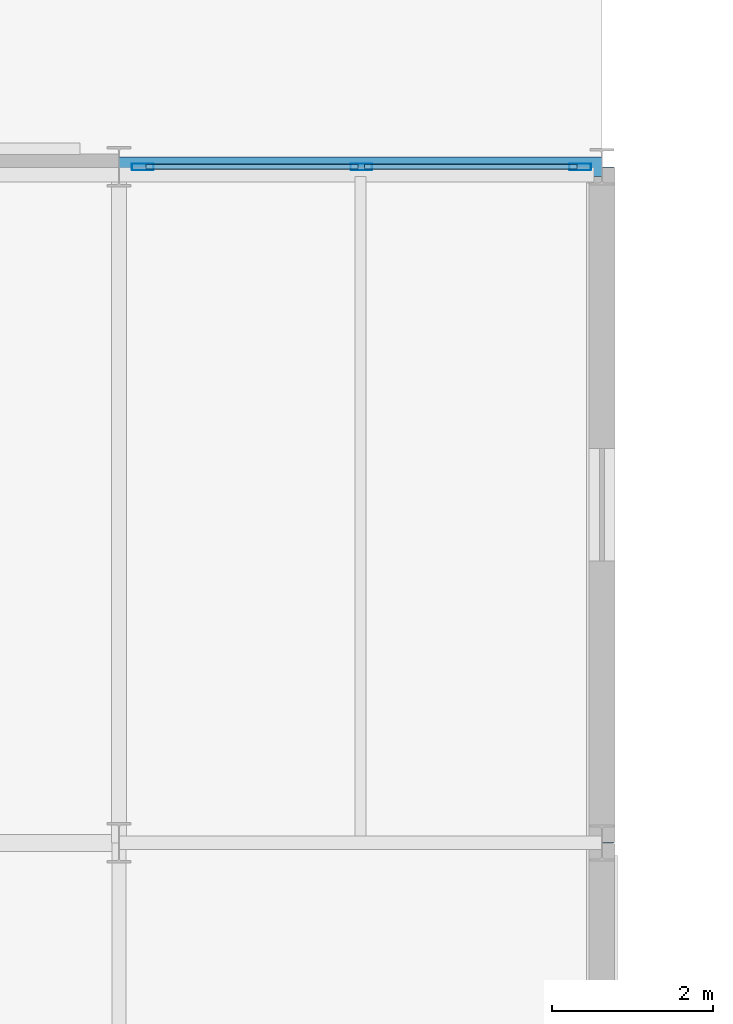
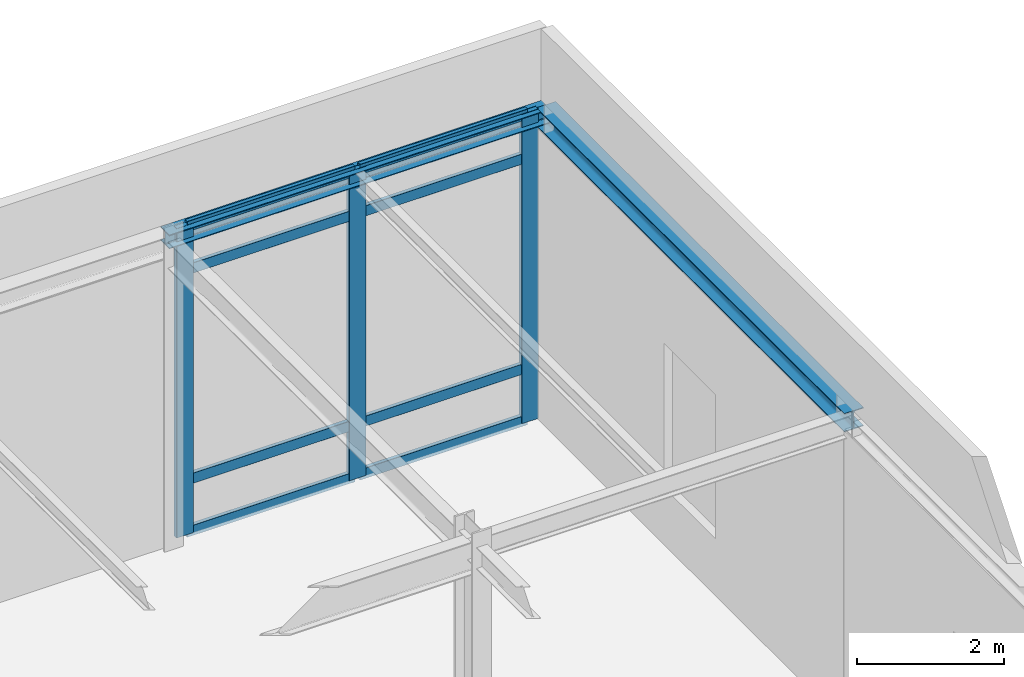
# One storey, part 55 of 89: 11 members, 2 beams, 1 element without a shape of its own.
"""IFC4 building model written with IfcOpenShell, lengths in metres."""

from ifc_helpers import new_model, si_unit, direction, frame, origin, origin_2d, place, context, subcontext, project, spatial, hollow_rectangle, i_section, extrude, material, layer, layer_set, material_profile, profile_set, type_object, element, aggregate, save


model = new_model("IFC4")

# Units and contexts
model_context = context("Model", 3, precision=1e-05, world=origin(), true_north=direction((0.0, 1.0)))
body_context = subcontext(model_context, "Body", "Model", "MODEL_VIEW")
ifc_project = project(units=[si_unit("LENGTHUNIT", "METRE"), si_unit("AREAUNIT", "SQUARE_METRE"), si_unit("VOLUMEUNIT", "CUBIC_METRE"), si_unit("PLANEANGLEUNIT", "RADIAN"), si_unit("MASSUNIT", "GRAM", prefix="KILO")], contexts=[model_context])

# Site, building, storey
site_placement = place(None, origin())
site = spatial("IfcSite", under=ifc_project, at=site_placement, CompositionType="ELEMENT")
building_placement = place(site_placement, origin())
building = spatial("IfcBuilding", under=site, at=building_placement, Name="Shalkamar Park Central Library", CompositionType="ELEMENT")
storey_placement = place(building_placement, origin())
storey = spatial("IfcBuildingStorey", under=building, at=storey_placement, Name="L01", CompositionType="ELEMENT", Elevation=0.0)

# Curtain wall, members
ifc_material_1 = material(Name="Thermally broken aluminium and triple low-e curtain wall", Category="aluminium")
ifc_layer = layer(ifc_material_1, 0.27001953125)
ifc_layer_set = layer_set([ifc_layer], Name="UnitisedCurtainWall_13")
curtain_wall_type = type_object("IfcCurtainWallType", Name="Unitised Curtain Wall 13", PredefinedType="USERDEFINED", material=ifc_layer_set)
curtain_wall_placement = place(storey_placement, origin())
curtain_wall = element("IfcCurtainWall", 1, at=curtain_wall_placement, inside=storey, type_object=curtain_wall_type, Name="Unitised Curtain Wall CW-L01-014", ObjectType="UNITISED CURTAIN WALL", PredefinedType="USERDEFINED")
ifc_material_2 = material(Name="Aluminium 6060-T66", Category="aluminium")
ifc_material_profile_1 = material_profile(ifc_material_2, hollow_rectangle(XDim=0.080078125, YDim=0.27001953125, WallThickness=0.0048828125, InnerFilletRadius=0.0048828125, OuterFilletRadius=0.007568359375, at=origin_2d()), Name="ALU 80x270x5")
ifc_profile_set_1 = profile_set([ifc_material_profile_1], Name="Aluminium 6060-T66")
member_type_1 = type_object("IfcMemberType", Name="Curtain Wall Mullion ALU80x270", PredefinedType="MULLION", material=ifc_profile_set_1)
member_1_placement = place(storey_placement, frame((282.2939453125, 354.0, 0.0), z_axis=(0.0, 0.0, 1.0), x_axis=(0.0, 1.0, 0.0)))
member_1 = element("IfcMember", 2, at=member_1_placement, type_object=member_type_1, Name="CW-13 mullion 1", PredefinedType="MULLION", context=body_context, shape_type="SweptSolid", body=[
    extrude(hollow_rectangle(XDim=0.080078125, YDim=0.27001953125, WallThickness=0.0048828125, InnerFilletRadius=0.0048828125, OuterFilletRadius=0.007568359375, at=origin_2d()), origin(), (0.0, 0.0, 1.0), 5.14990234375),
])
member_2_placement = place(storey_placement, frame((285.012451171875, 354.0, 0.0), z_axis=(0.0, 0.0, 1.0), x_axis=(0.0, 1.0, 0.0)))
member_2 = element("IfcMember", 3, at=member_2_placement, type_object=member_type_1, Name="CW-13 mullion 2", PredefinedType="MULLION", context=body_context, shape_type="SweptSolid", body=[
    extrude(hollow_rectangle(XDim=0.080078125, YDim=0.27001953125, WallThickness=0.0048828125, InnerFilletRadius=0.0048828125, OuterFilletRadius=0.007568359375, at=origin_2d()), origin(), (0.0, 0.0, 1.0), 5.14990234375),
])
member_3_placement = place(storey_placement, frame((287.73095703125, 354.0, 0.0), z_axis=(0.0, 0.0, 1.0), x_axis=(0.0, 1.0, 0.0)))
member_3 = element("IfcMember", 4, at=member_3_placement, type_object=member_type_1, Name="CW-13 mullion 3", PredefinedType="MULLION", context=body_context, shape_type="SweptSolid", body=[
    extrude(hollow_rectangle(XDim=0.080078125, YDim=0.27001953125, WallThickness=0.0048828125, InnerFilletRadius=0.0048828125, OuterFilletRadius=0.007568359375, at=origin_2d()), origin(), (0.0, 0.0, 1.0), 5.14990234375),
])
ifc_material_profile_2 = material_profile(ifc_material_2, hollow_rectangle(XDim=0.06494140625, YDim=0.175048828125, WallThickness=0.00439453125, InnerFilletRadius=0.00439453125, OuterFilletRadius=0.0068359375, at=origin_2d()), Name="ALU 65x175x4.5")
ifc_profile_set_2 = profile_set([ifc_material_profile_2], Name="Aluminium 6060-T66")
member_type_2 = type_object("IfcMemberType", Name="Curtain Wall Transom ALU65x175", PredefinedType="USERDEFINED", material=ifc_profile_set_2)
member_4_placement = place(storey_placement, frame((282.333984375, 354.0, 0.032470703125), z_axis=(1.0, 0.0, 0.0), x_axis=(0.0, 1.0, 0.0)))
member_4 = element("IfcMember", 5, at=member_4_placement, type_object=member_type_2, Name="CW-13 transom 1.1", ObjectType="TRANSOM", PredefinedType="USERDEFINED", context=body_context, shape_type="SweptSolid", body=[
    extrude(hollow_rectangle(XDim=0.06494140625, YDim=0.175048828125, WallThickness=0.00439453125, InnerFilletRadius=0.00439453125, OuterFilletRadius=0.0068359375, at=origin_2d()), origin(), (0.0, 0.0, 1.0), 2.638427734375),
])
member_5_placement = place(storey_placement, frame((282.333984375, 354.0, 0.89990234375), z_axis=(1.0, 0.0, 0.0), x_axis=(0.0, 1.0, 0.0)))
member_5 = element("IfcMember", 6, at=member_5_placement, type_object=member_type_2, Name="CW-13 transom 1.2", ObjectType="TRANSOM", PredefinedType="USERDEFINED", context=body_context, shape_type="SweptSolid", body=[
    extrude(hollow_rectangle(XDim=0.06494140625, YDim=0.175048828125, WallThickness=0.00439453125, InnerFilletRadius=0.00439453125, OuterFilletRadius=0.0068359375, at=origin_2d()), origin(), (0.0, 0.0, 1.0), 2.638427734375),
])
member_6_placement = place(storey_placement, frame((282.333984375, 354.0, 4.39990234375), z_axis=(1.0, 0.0, 0.0), x_axis=(0.0, 1.0, 0.0)))
member_6 = element("IfcMember", 7, at=member_6_placement, type_object=member_type_2, Name="CW-13 transom 1.3", ObjectType="TRANSOM", PredefinedType="USERDEFINED", context=body_context, shape_type="SweptSolid", body=[
    extrude(hollow_rectangle(XDim=0.06494140625, YDim=0.175048828125, WallThickness=0.00439453125, InnerFilletRadius=0.00439453125, OuterFilletRadius=0.0068359375, at=origin_2d()), origin(), (0.0, 0.0, 1.0), 2.638427734375),
])
member_7_placement = place(storey_placement, frame((282.333984375, 354.0, 5.117431640625), z_axis=(1.0, 0.0, 0.0), x_axis=(0.0, 1.0, 0.0)))
member_7 = element("IfcMember", 8, at=member_7_placement, type_object=member_type_2, Name="CW-13 transom 1.4", ObjectType="TRANSOM", PredefinedType="USERDEFINED", context=body_context, shape_type="SweptSolid", body=[
    extrude(hollow_rectangle(XDim=0.06494140625, YDim=0.175048828125, WallThickness=0.00439453125, InnerFilletRadius=0.00439453125, OuterFilletRadius=0.0068359375, at=origin_2d()), origin(), (0.0, 0.0, 1.0), 2.638427734375),
])
member_8_placement = place(storey_placement, frame((285.052490234375, 354.0, 0.032470703125), z_axis=(1.0, 0.0, 0.0), x_axis=(0.0, 1.0, 0.0)))
member_8 = element("IfcMember", 9, at=member_8_placement, type_object=member_type_2, Name="CW-13 transom 2.1", ObjectType="TRANSOM", PredefinedType="USERDEFINED", context=body_context, shape_type="SweptSolid", body=[
    extrude(hollow_rectangle(XDim=0.06494140625, YDim=0.175048828125, WallThickness=0.00439453125, InnerFilletRadius=0.00439453125, OuterFilletRadius=0.0068359375, at=origin_2d()), origin(), (0.0, 0.0, 1.0), 2.638427734375),
])
member_9_placement = place(storey_placement, frame((285.052490234375, 354.0, 0.89990234375), z_axis=(1.0, 0.0, 0.0), x_axis=(0.0, 1.0, 0.0)))
member_9 = element("IfcMember", 10, at=member_9_placement, type_object=member_type_2, Name="CW-13 transom 2.2", ObjectType="TRANSOM", PredefinedType="USERDEFINED", context=body_context, shape_type="SweptSolid", body=[
    extrude(hollow_rectangle(XDim=0.06494140625, YDim=0.175048828125, WallThickness=0.00439453125, InnerFilletRadius=0.00439453125, OuterFilletRadius=0.0068359375, at=origin_2d()), origin(), (0.0, 0.0, 1.0), 2.638427734375),
])
member_10_placement = place(storey_placement, frame((285.052490234375, 354.0, 4.39990234375), z_axis=(1.0, 0.0, 0.0), x_axis=(0.0, 1.0, 0.0)))
member_10 = element("IfcMember", 11, at=member_10_placement, type_object=member_type_2, Name="CW-13 transom 2.3", ObjectType="TRANSOM", PredefinedType="USERDEFINED", context=body_context, shape_type="SweptSolid", body=[
    extrude(hollow_rectangle(XDim=0.06494140625, YDim=0.175048828125, WallThickness=0.00439453125, InnerFilletRadius=0.00439453125, OuterFilletRadius=0.0068359375, at=origin_2d()), origin(), (0.0, 0.0, 1.0), 2.638427734375),
])
member_11_placement = place(storey_placement, frame((285.052490234375, 354.0, 5.117431640625), z_axis=(1.0, 0.0, 0.0), x_axis=(0.0, 1.0, 0.0)))
member_11 = element("IfcMember", 12, at=member_11_placement, type_object=member_type_2, Name="CW-13 transom 2.4", ObjectType="TRANSOM", PredefinedType="USERDEFINED", context=body_context, shape_type="SweptSolid", body=[
    extrude(hollow_rectangle(XDim=0.06494140625, YDim=0.175048828125, WallThickness=0.00439453125, InnerFilletRadius=0.00439453125, OuterFilletRadius=0.0068359375, at=origin_2d()), origin(), (0.0, 0.0, 1.0), 2.638427734375),
])
aggregate(curtain_wall, [member_1, member_2, member_3, member_4, member_5, member_6, member_7, member_8, member_9, member_10, member_11])

# Beams
ifc_material_3 = material(Name="Steel S355", Category="steel")
ifc_material_profile_3 = material_profile(ifc_material_3, i_section(OverallWidth=0.239990234375, OverallDepth=0.22998046875, WebThickness=0.007568359375, FlangeThickness=0.011962890625, FilletRadius=0.02099609375, at=origin_2d()), Name="HEA 240")
ifc_profile_set_3 = profile_set([ifc_material_profile_3], Name="Steel S355")
beam_type_1 = type_object("IfcBeamType", Name="Perimeter Spandrel Beam HEA240", PredefinedType="SPANDREL", material=ifc_profile_set_3)
beam_1_placement = place(storey_placement, frame((282.0, 354.0, 5.034912109375), z_axis=(1.0, 0.0, 0.0), x_axis=(0.0, 1.0, 0.0)))
element("IfcBeam", 13, at=beam_1_placement, inside=storey, type_object=beam_type_1, Name="Beam R:21-22 (L01)", PredefinedType="SPANDREL", context=body_context, shape_type="SweptSolid", body=[
    extrude(i_section(OverallWidth=0.239990234375, OverallDepth=0.22998046875, WebThickness=0.007568359375, FlangeThickness=0.011962890625, FilletRadius=0.02099609375, at=origin_2d()), origin(), (0.0, 0.0, 1.0), 6.0),
])
ifc_material_profile_4 = material_profile(ifc_material_3, i_section(OverallWidth=0.300048828125, OverallDepth=0.31005859375, WebThickness=0.009033203125, FlangeThickness=0.015380859375, FilletRadius=0.027099609375, at=origin_2d()), Name="HEA 320")
ifc_profile_set_4 = profile_set([ifc_material_profile_4], Name="Steel S355")
beam_type_2 = type_object("IfcBeamType", Name="Perimeter Spandrel Beam HEA320", PredefinedType="SPANDREL", material=ifc_profile_set_4)
beam_2_placement = place(storey_placement, frame((288.0, 345.60009765625, 4.9951171875), z_axis=(0.0, 1.0, 0.0), x_axis=(-1.0, 0.0, 0.0)))
element("IfcBeam", 14, at=beam_2_placement, inside=storey, type_object=beam_type_2, Name="Beam 22:Q-R (L01)", PredefinedType="SPANDREL", context=body_context, shape_type="SweptSolid", body=[
    extrude(i_section(OverallWidth=0.300048828125, OverallDepth=0.31005859375, WebThickness=0.009033203125, FlangeThickness=0.015380859375, FilletRadius=0.027099609375, at=origin_2d()), origin(), (0.0, 0.0, 1.0), 8.39990234375),
])

save(model, "model.ifc")
